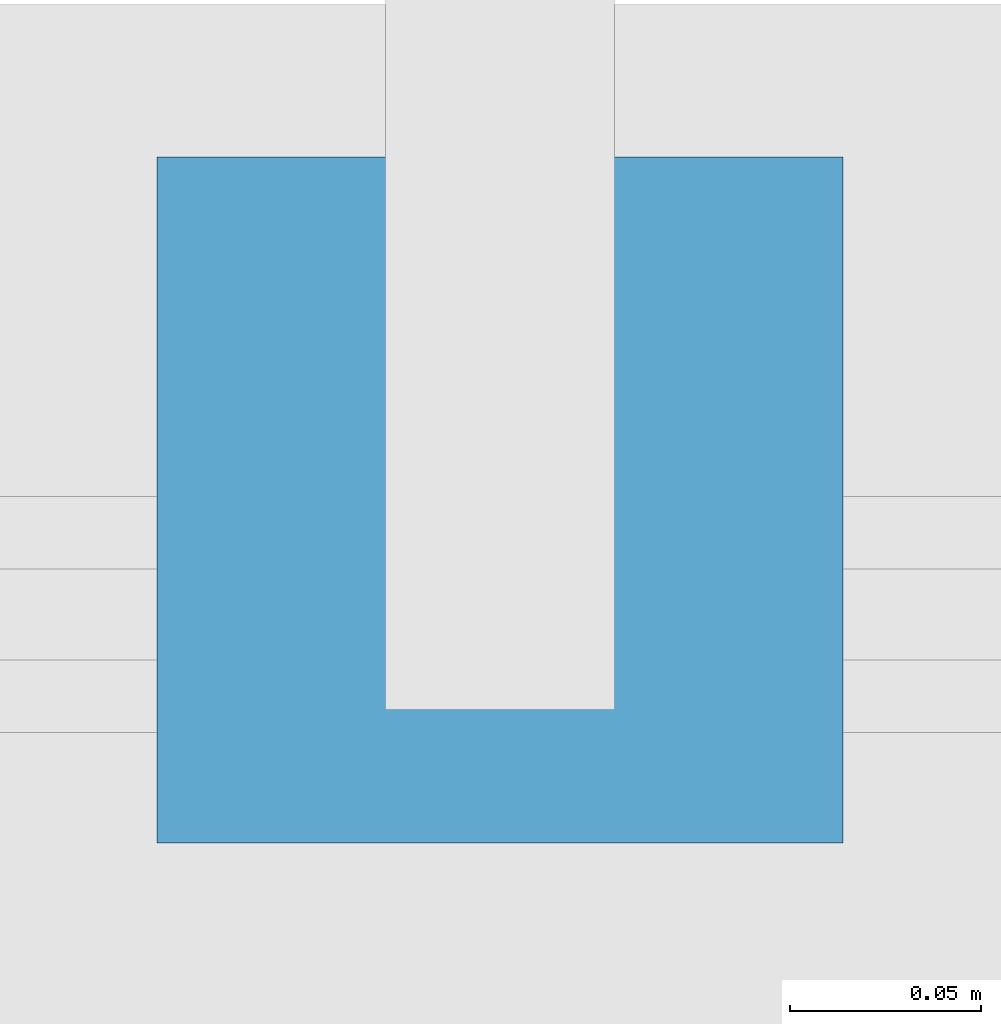
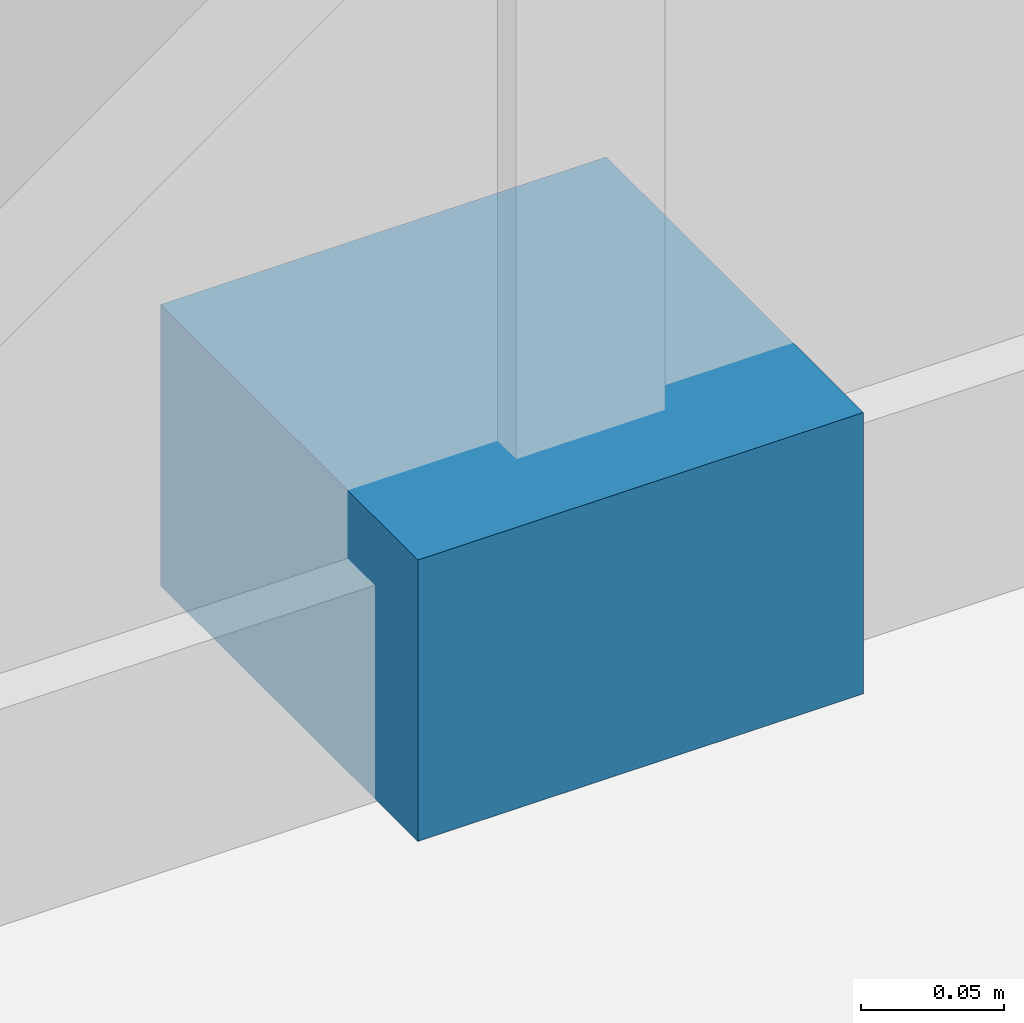
# One storey, part 65 of 81: 1 discrete accessory.
"""IFC4 building model written with IfcOpenShell, lengths in metres."""

import ifcopenshell
import ifcopenshell.guid

model = None  # the IFC model being written
_history = None  # IfcOwnerHistory: only IFC2X3 demands one
_inside = {}  # id of a spatial element -> (the spatial element, [elements in it])
_under = {}  # id of a project, library or spatial element -> (it, [spatial elements below it])
_declared = {}  # id of a project -> (the project, [libraries it declares])
_typed = {}  # id of a type object -> (the type object, [elements of that type])
_made_of = {}  # id of a material, layer set ... -> (it, [elements and type objects made of it])


def new_model(schema):
    """Start an empty IFC model of exactly this schema.

    Asked for "IFC4X3", IfcOpenShell would pick the latest addendum, in which some entities
    have other attributes; the version numbers below select the first issue.
    IFC2X3 requires an IfcOwnerHistory on every rooted entity: one is made here for all.
    """
    global model, _history
    if schema == "IFC4X3":
        model = ifcopenshell.file(schema_version=(4, 3, 0, 0))
    else:
        model = ifcopenshell.file(schema=schema)
    _inside.clear()
    _under.clear()
    _declared.clear()
    _typed.clear()
    _made_of.clear()
    _history = None
    if model.schema == "IFC2X3":
        org = make("IfcOrganization", Name="unknown")
        user = make(
            "IfcPersonAndOrganization",
            ThePerson=make("IfcPerson", FamilyName="unknown"),
            TheOrganization=org,
        )
        app = make(
            "IfcApplication",
            ApplicationDeveloper=org,
            Version="unknown",
            ApplicationFullName="unknown",
            ApplicationIdentifier="unknown",
        )
        _history = make(
            "IfcOwnerHistory",
            OwningUser=user,
            OwningApplication=app,
            ChangeAction="ADDED",
            CreationDate=0,
        )
    return model


def make(cls, **values):
    """One entity of the class cls with the attributes given. An attribute that is None is left unset."""
    return model.create_entity(
        cls, **{name: value for name, value in values.items() if value is not None}
    )


def rooted(cls, **values):
    """An entity with a GlobalId (a new one), such as an element, a storey or a relation."""
    return make(cls, GlobalId=ifcopenshell.guid.new(), OwnerHistory=_history, **values)


def si_unit(unit_type, name, prefix=None):
    """IfcSIUnit, for example si_unit("LENGTHUNIT", "METRE", prefix="MILLI")."""
    return make("IfcSIUnit", UnitType=unit_type, Prefix=prefix, Name=name)


def assignment(units):
    """IfcUnitAssignment: the units of a project."""
    return None if units is None else make("IfcUnitAssignment", Units=units)


def point(xyz):
    """IfcCartesianPoint."""
    return None if xyz is None else make("IfcCartesianPoint", Coordinates=xyz)


def direction(xyz):
    """IfcDirection."""
    return None if xyz is None else make("IfcDirection", DirectionRatios=xyz)


def frame(location, z_axis=None, x_axis=None):
    """IfcAxis2Placement3D, a coordinate frame: its origin and axes. An axis left out is left unset."""
    return make(
        "IfcAxis2Placement3D",
        Location=point(location),
        Axis=direction(z_axis),
        RefDirection=direction(x_axis),
    )


def frame_2d(location, x_axis=None):
    """IfcAxis2Placement2D, a coordinate frame in the plane: its origin and x axis."""
    return make(
        "IfcAxis2Placement2D", Location=point(location), RefDirection=direction(x_axis)
    )


def origin():
    """The frame at (0, 0, 0) with its axes left unset."""
    return frame((0.0, 0.0, 0.0))


def origin_2d():
    """The frame at (0, 0) in the plane with its x axis left unset."""
    return frame_2d((0.0, 0.0))


def place(relative_to, where):
    """IfcLocalPlacement: puts the frame where relative to a parent placement (None: the world)."""
    return make(
        "IfcLocalPlacement", PlacementRelTo=relative_to, RelativePlacement=where
    )


def context(
    kind, dimensions, precision=None, world=None, true_north=None, identifier=None
):
    """IfcGeometricRepresentationContext, for example the 3D "Model" context."""
    return make(
        "IfcGeometricRepresentationContext",
        ContextIdentifier=identifier,
        ContextType=kind,
        CoordinateSpaceDimension=dimensions,
        Precision=precision,
        WorldCoordinateSystem=world,
        TrueNorth=true_north,
    )


def subcontext(parent, identifier, kind, view, scale=None):
    """IfcGeometricRepresentationSubContext, for example "Body" below "Model"."""
    return make(
        "IfcGeometricRepresentationSubContext",
        ContextIdentifier=identifier,
        ContextType=kind,
        ParentContext=parent,
        TargetScale=scale,
        TargetView=view,
    )


def project(units=None, contexts=None):
    """IfcProject with its units and contexts."""
    return rooted(
        "IfcProject",
        Name="project",
        RepresentationContexts=contexts,
        UnitsInContext=assignment(units),
    )


def spatial(cls, under=None, at=None, **own):
    """A site, building, storey or space (cls), placed at a placement, below another one or the project."""
    s = rooted(cls, ObjectPlacement=at, **own)
    if under is not None:
        _under.setdefault(under.id(), (under, []))[1].append(s)
    return s


def profile(cls, at=None, kind="AREA", **sizes):
    """A parametric profile (cls). Its sizes go by their IFC names, for example OverallWidth=200.0."""
    return make(cls, ProfileType=kind, Position=at, **sizes)


def rectangle(**sizes):
    """IfcRectangleProfileDef."""
    return profile("IfcRectangleProfileDef", **sizes)


def extrude(swept, where, along, depth):
    """IfcExtrudedAreaSolid: the profile swept, set in the frame where, extruded along a direction by depth."""
    return make(
        "IfcExtrudedAreaSolid",
        SweptArea=swept,
        Position=where,
        ExtrudedDirection=direction(along),
        Depth=depth,
    )


def shape(context_of_items, identifier, shape_type, items):
    """IfcShapeRepresentation: the items that make up one representation, for example the "Body"."""
    return make(
        "IfcShapeRepresentation",
        ContextOfItems=context_of_items,
        RepresentationIdentifier=identifier,
        RepresentationType=shape_type,
        Items=items,
    )


def material(Name=None, Category=None):
    """IfcMaterial."""
    return make("IfcMaterial", Name=Name, Category=Category)


def made_of(thing, what):
    """Note that an element or type object is made of a material, layer set ...; save() writes the relation."""
    if what is not None:
        _made_of.setdefault(what.id(), (what, []))[1].append(thing)
    return thing


def type_object(cls, material=None, **own):
    """A type object (cls), such as IfcWallType, which elements share."""
    return made_of(rooted(cls, **own), material)


def element(
    cls,
    number,
    at=None,
    inside=None,
    cuts=None,
    type_object=None,
    material=None,
    context=None,
    identifier="Body",
    shape_type=None,
    held_by="IfcProductDefinitionShape",
    body=None,
    shapes=None,
    **own,
):
    """One element of the class cls, such as IfcWall. Its Tag is "e" and its number.

    at: its placement. inside: the storey or other place that contains it. cuts: it is an
    opening in that element (IfcRelVoidsElement). A single representation is given by context,
    identifier, shape_type and body (its items); several are given by shapes. held_by: the class
    of the entity that holds the representations. save() writes the other relations.
    """
    e = rooted(cls, Tag="e%d" % number, ObjectPlacement=at, **own)
    if body is not None:
        shapes = [shape(context, identifier, shape_type, body)]
    if shapes is not None:
        e.Representation = make(held_by, Representations=shapes)
    if inside is not None:
        _inside.setdefault(inside.id(), (inside, []))[1].append(e)
    if cuts is not None:
        rooted(
            "IfcRelVoidsElement", RelatingBuildingElement=cuts, RelatedOpeningElement=e
        )
    if type_object is not None:
        _typed.setdefault(type_object.id(), (type_object, []))[1].append(e)
    return made_of(e, material)


def aggregate(whole, parts):
    """IfcRelAggregates: a whole, such as a stair, and the parts it consists of."""
    return rooted("IfcRelAggregates", RelatingObject=whole, RelatedObjects=parts)


def save(model, path):
    """Write the relations noted so far, then the file.

    IfcRelAggregates (storeys below a building ...), IfcRelContainedInSpatialStructure (elements
    in a storey), IfcRelDefinesByType, IfcRelAssociatesMaterial and IfcRelDeclares: one each for
    every whole, place, type object, material and project.
    """
    for whole, parts in _under.values():
        aggregate(whole, parts)
    for where, things in _inside.values():
        rooted(
            "IfcRelContainedInSpatialStructure",
            RelatedElements=things,
            RelatingStructure=where,
        )
    for kind, things in _typed.values():
        rooted("IfcRelDefinesByType", RelatedObjects=things, RelatingType=kind)
    for what, things in _made_of.values():
        rooted("IfcRelAssociatesMaterial", RelatedObjects=things, RelatingMaterial=what)
    for by, libraries in _declared.values():
        rooted("IfcRelDeclares", RelatingContext=by, RelatedDefinitions=libraries)
    model.write(path)


model = new_model("IFC4")

# Units and contexts
model_context = context("Model", 3, precision=1e-05, world=origin(), true_north=direction((0.0, 1.0)))
body_context = subcontext(model_context, "Body", "Model", "MODEL_VIEW")
ifc_project = project(units=[si_unit("LENGTHUNIT", "METRE"), si_unit("AREAUNIT", "SQUARE_METRE"), si_unit("VOLUMEUNIT", "CUBIC_METRE"), si_unit("PLANEANGLEUNIT", "RADIAN"), si_unit("MASSUNIT", "GRAM", prefix="KILO")], contexts=[model_context])

# Site, building, storey
site_placement = place(None, origin())
site = spatial("IfcSite", under=ifc_project, at=site_placement, CompositionType="ELEMENT")
building_placement = place(site_placement, origin())
building = spatial("IfcBuilding", under=site, at=building_placement, Name="Vourika Railside Aquatics Centre", CompositionType="ELEMENT")
storey_placement = place(building_placement, frame((0.0, 0.0, 4.800048828125)))
storey = spatial("IfcBuildingStorey", under=building, at=storey_placement, Name="L01", CompositionType="ELEMENT", Elevation=4.800048828125)

# Discrete accessory
ifc_material = material(Name="Duplex stainless steel EN 1.4462", Category="steel")
discrete_accessory_type = type_object("IfcDiscreteAccessoryType", Name="ACC-BRK-180", PredefinedType="BRACKET", material=ifc_material)
discrete_accessory_placement = place(storey_placement, frame((132.14990234375, 116.030029296875, 0.0), z_axis=(0.0, 0.0, 1.0), x_axis=(0.0, 1.0, 0.0)))
element("IfcDiscreteAccessory", 1, at=discrete_accessory_placement, inside=storey, type_object=discrete_accessory_type, Name="Stainless Fin Shoe Bracket BK-079", PredefinedType="BRACKET", context=body_context, shape_type="SweptSolid", body=[
    extrude(rectangle(XDim=0.179931640625, YDim=0.179931640625, at=origin_2d()), origin(), (0.0, 0.0, 1.0), 0.1201171875),
])

save(model, "model.ifc")
